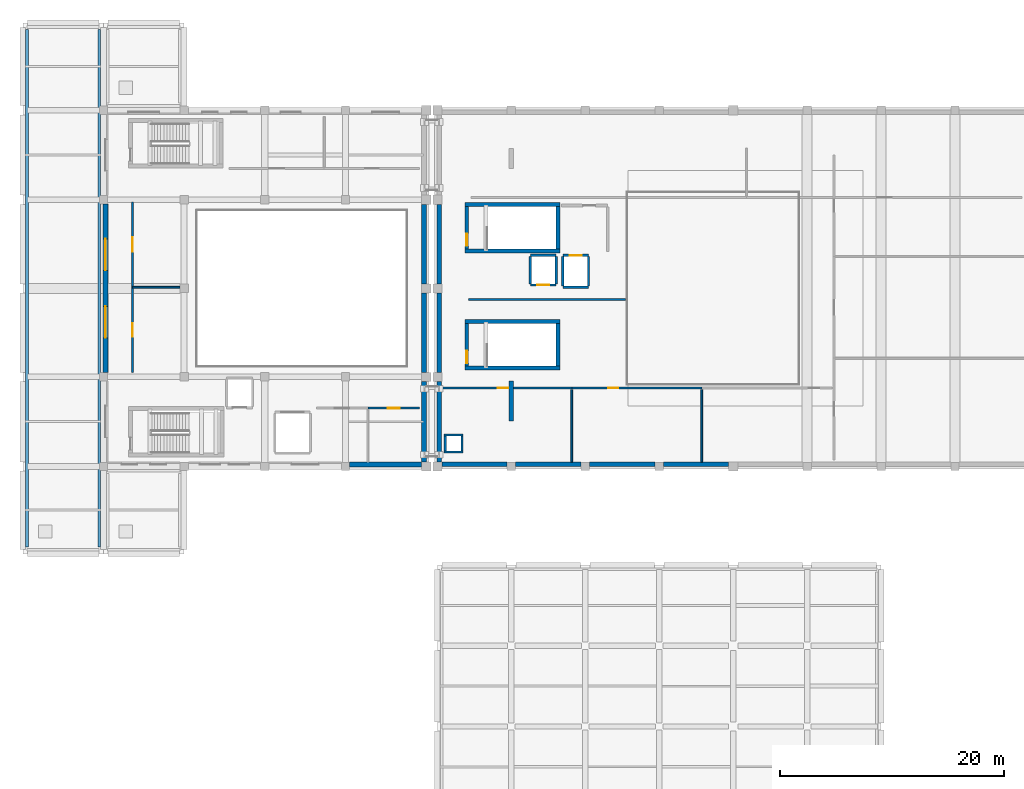
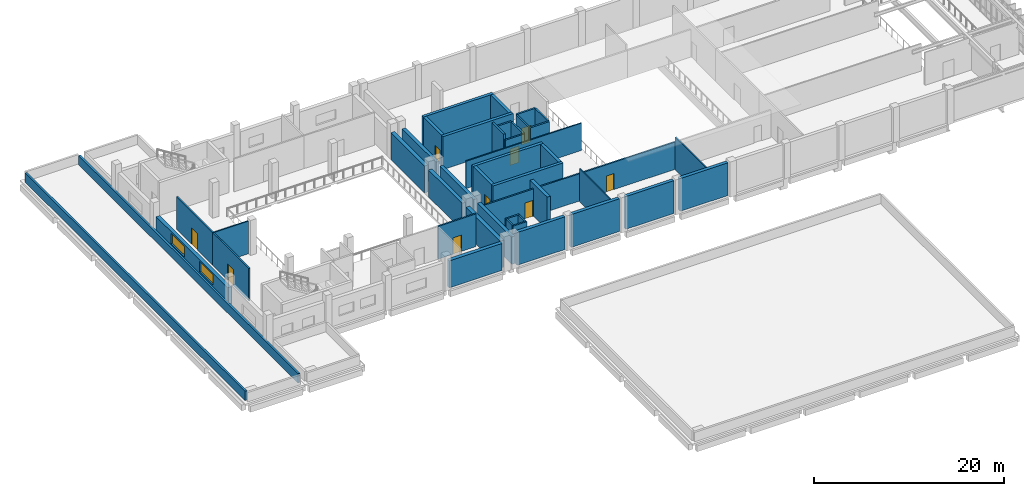
# One storey, part 14 of 23: 44 walls, 9 doors, 2 windows, 11 openings.
"""IFC4 building model written with IfcOpenShell, lengths in metres."""

from ifc_helpers import new_model, si_unit, direction, frame, frame_2d, origin, place, context, subcontext, project, spatial, rectangle, extrude, material, layer, layer_set, type_object, element, fill, save


model = new_model("IFC4")

# Units and contexts
model_context = context("Model", 3, precision=1e-05, world=origin(), true_north=direction((0.0, 1.0)))
body_context = subcontext(model_context, "Body", "Model", "MODEL_VIEW")
ifc_project = project(units=[si_unit("LENGTHUNIT", "METRE"), si_unit("AREAUNIT", "SQUARE_METRE"), si_unit("VOLUMEUNIT", "CUBIC_METRE"), si_unit("PLANEANGLEUNIT", "RADIAN"), si_unit("MASSUNIT", "GRAM", prefix="KILO")], contexts=[model_context])

# Site, building, storey
site_placement = place(None, origin())
site = spatial("IfcSite", under=ifc_project, at=site_placement, CompositionType="ELEMENT")
building_placement = place(site_placement, origin())
building = spatial("IfcBuilding", under=site, at=building_placement, Name="Kelarvand Opera House", CompositionType="ELEMENT")
storey_placement = place(building_placement, frame((0.0, 0.0, 19.5)))
storey = spatial("IfcBuildingStorey", under=building, at=storey_placement, Name="L04", CompositionType="ELEMENT", Elevation=19.5)

# Walls
ifc_material_1 = material(Name="Concrete C35/45", Category="concrete")
ifc_layer_1 = layer(ifc_material_1, 0.39990234375, Name="Concrete C35/45", Category="concrete")
ifc_layer_set_1 = layer_set([ifc_layer_1], Name="Concrete C35/45")
wall_type_1 = type_object("IfcWallType", Name="Acoustic Brick-Travertine Double Wall 400", PredefinedType="SOLIDWALL", material=ifc_layer_set_1)
wall_1_placement = place(storey_placement, frame((89.179931640625, 47.010009765625, 0.0), z_axis=(0.0, 0.0, 1.0), x_axis=(0.0, 1.0, 0.0)))
element("IfcWall", 1, at=wall_1_placement, inside=storey, type_object=wall_type_1, Name="V1 L04 Exterior Wall EW-400 (158)", PredefinedType="SOLIDWALL", context=body_context, shape_type="SweptSolid", body=[
    extrude(rectangle(XDim=7.179931640625, YDim=0.39990234375, at=frame_2d((3.58984375, 0.0))), origin(), (0.0, 0.0, 1.0), 3.510009765625),
])
for number, where, z_axis, x_axis, name in (
    (2, (89.179931640625, 55.010009765625, 0.0), (0.0, 0.0, 1.0), (0.0, 1.0, 0.0), "V1 L04 Exterior Wall EW-400 (159)"),
    (3, (89.179931640625, 62.909912109375, 0.0), (0.0, 0.0, 1.0), (0.0, 1.0, 0.0), "V1 L04 Exterior Wall EW-400 (160)"),
):
    element("IfcWall", number, at=place(storey_placement, frame(where, z_axis=z_axis, x_axis=x_axis)), inside=storey, type_object=wall_type_1, Name=name, PredefinedType="SOLIDWALL", context=body_context, shape_type="SweptSolid", body=[
        extrude(rectangle(XDim=7.080078125, YDim=0.39990234375, at=frame_2d((3.5400390625, 0.0))), origin(), (0.0, 0.0, 1.0), 3.4619140625),
    ])
wall_2_placement = place(storey_placement, frame((114.989990234375, 46.780029296875, 0.0), z_axis=(0.0, 0.0, 1.0), x_axis=(-1.0, 0.0, 0.0)))
element("IfcWall", 4, at=wall_2_placement, inside=storey, type_object=wall_type_1, Name="V1 L04 Exterior Wall EW-400 (167)", PredefinedType="SOLIDWALL", context=body_context, shape_type="SweptSolid", body=[
    extrude(rectangle(XDim=5.81494140625, YDim=0.39990234375, at=frame_2d((2.907470703125, 0.0))), origin(), (0.0, 0.0, 1.0), 4.199951171875),
])
wall_3_placement = place(storey_placement, frame((108.425048828125, 46.780029296875, 0.0), z_axis=(0.0, 0.0, 1.0), x_axis=(-1.0, 0.0, 0.0)))
element("IfcWall", 5, at=wall_3_placement, inside=storey, type_object=wall_type_1, Name="V1 L04 Exterior Wall EW-400 (168)", PredefinedType="SOLIDWALL", context=body_context, shape_type="SweptSolid", body=[
    extrude(rectangle(XDim=5.85009765625, YDim=0.39990234375, at=frame_2d((2.925048828125, 0.0))), origin(), (0.0, 0.0, 1.0), 4.199951171875),
])
wall_4_placement = place(storey_placement, frame((101.824951171875, 46.780029296875, 0.0), z_axis=(0.0, 0.0, 1.0), x_axis=(-1.0, 0.0, 0.0)))
element("IfcWall", 6, at=wall_4_placement, inside=storey, type_object=wall_type_1, Name="V1 L04 Exterior Wall EW-400 (169)", PredefinedType="SOLIDWALL", context=body_context, shape_type="SweptSolid", body=[
    extrude(rectangle(XDim=5.849853515625, YDim=0.39990234375, at=frame_2d((2.9248046875, 0.0))), origin(), (0.0, 0.0, 1.0), 4.199951171875),
])
wall_5_placement = place(storey_placement, frame((95.22509765625, 46.780029296875, 0.0), z_axis=(0.0, 0.0, 1.0), x_axis=(-1.0, 0.0, 0.0)))
element("IfcWall", 7, at=wall_5_placement, inside=storey, type_object=wall_type_1, Name="V1 L04 Exterior Wall EW-400 (170)", PredefinedType="SOLIDWALL", context=body_context, shape_type="SweptSolid", body=[
    extrude(rectangle(XDim=5.815185546875, YDim=0.39990234375, at=frame_2d((2.90771484375, 0.0))), origin(), (0.0, 0.0, 1.0), 4.199951171875),
])
ifc_material_2 = material(Name="Acoustic double-stud gypsum partition")
ifc_layer_2 = layer(ifc_material_2, 0.14990234375, Name="Acoustic double-stud gypsum partition")
ifc_layer_set_2 = layer_set([ifc_layer_2], Name="Acoustic double-stud gypsum partition")
wall_type_2 = type_object("IfcWallType", Name="Acoustic Room Partition Wall 150", PredefinedType="PARTITIONING", material=ifc_layer_set_2)
for number, where, z_axis, x_axis, name in (
    (8, (101.0, 47.0, 0.0), (0.0, 0.0, 1.0), (0.0, 1.0, 0.0), "V1 L04 Partition Wall IW-150 (637)"),
    (9, (112.60009765625, 47.0, 0.0), (0.0, 0.0, 1.0), (0.0, 1.0, 0.0), "V1 L04 Partition Wall IW-150 (639)"),
):
    element("IfcWall", number, at=place(storey_placement, frame(where, z_axis=z_axis, x_axis=x_axis)), inside=storey, type_object=wall_type_2, Name=name, PredefinedType="PARTITIONING", context=body_context, shape_type="SweptSolid", body=[
        extrude(rectangle(XDim=6.4599609375, YDim=0.14990234375, at=frame_2d((3.22998046875, 0.0))), origin(), (0.0, 0.0, 1.0), 4.19189453125),
    ])
wall_6_placement = place(storey_placement, frame((91.800048828125, 61.5, 0.0), z_axis=(0.0, 0.0, 1.0), x_axis=(1.0, 0.0, 0.0)))
element("IfcWall", 10, at=wall_6_placement, inside=storey, type_object=wall_type_2, Name="V1 L04 Partition Wall IW-150 (641)", PredefinedType="PARTITIONING", context=body_context, shape_type="SweptSolid", body=[
    extrude(rectangle(XDim=14.0, YDim=0.14990234375, at=frame_2d((7.0, 0.0))), origin(), (0.0, 0.0, 1.0), 3.5029296875),
])
wall_7_placement = place(storey_placement, frame((61.800048828125, 62.60009765625, 0.0), z_axis=(0.0, 0.0, 1.0), x_axis=(1.0, 0.0, 0.0)))
element("IfcWall", 11, at=wall_7_placement, inside=storey, type_object=wall_type_2, Name="V2 L04 Partition Wall IW-150 (653)", PredefinedType="PARTITIONING", context=body_context, shape_type="SweptSolid", body=[
    extrude(rectangle(XDim=4.224853515625, YDim=0.14990234375, at=frame_2d((2.1123046875, 0.0))), origin(), (0.0, 0.0, 1.0), 4.19189453125),
])
ifc_layer_3 = layer(ifc_material_1, 0.239990234375, Name="Concrete C35/45", Category="concrete")
ifc_layer_set_3 = layer_set([ifc_layer_3], Name="Concrete C35/45")
wall_type_3 = type_object("IfcWallType", Name="Capped Travertine Roof Parapet 240", PredefinedType="PARAPET", material=ifc_layer_set_3)
for number, where, z_axis, x_axis, name in (
    (12, (52.3798828125, 85.580078125, 0.0), (0.0, 0.0, 1.0), (0.0, -1.0, 0.0), "V2 Roof Parapet 15"),
    (13, (58.820068359375, 39.419921875, 0.0), (0.0, 0.0, 1.0), (0.0, 1.0, 0.0), "V2 Roof Parapet 16"),
):
    element("IfcWall", number, at=place(storey_placement, frame(where, z_axis=z_axis, x_axis=x_axis)), inside=storey, type_object=wall_type_3, Name=name, PredefinedType="PARAPET", context=body_context, shape_type="SweptSolid", body=[
        extrude(rectangle(XDim=46.16015625, YDim=0.239990234375, at=frame_2d((23.080078125, 0.0))), origin(), (0.0, 0.0, 1.0), 1.199951171875),
    ])
ifc_material_3 = material(Name="Concrete C40/50", Category="concrete")
ifc_layer_4 = layer(ifc_material_3, 0.35009765625, Name="Concrete C40/50", Category="concrete")
ifc_layer_set_4 = layer_set([ifc_layer_4], Name="Concrete C40/50")
wall_type_4 = type_object("IfcWallType", Name="Core Stair and Lift Shear Wall 350", PredefinedType="SHEAR", material=ifc_layer_set_4)
for number, where, z_axis, x_axis, name in (
    (14, (91.449951171875, 65.824951171875, 0.0), (0.0, 0.0, 1.0), (1.0, 0.0, 0.0), "C1 Stair Core Shear Wall S L04"),
    (15, (99.949951171875, 69.97509765625, 0.0), (0.0, 0.0, 1.0), (-1.0, 0.0, 0.0), "C1 Stair Core Shear Wall N L04"),
):
    element("IfcWall", number, at=place(storey_placement, frame(where, z_axis=z_axis, x_axis=x_axis)), inside=storey, type_object=wall_type_4, Name=name, PredefinedType="SHEAR", context=body_context, shape_type="SweptSolid", body=[
        extrude(rectangle(XDim=8.5, YDim=0.35009765625, at=frame_2d((4.25, 0.0))), origin(), (0.0, 0.0, 1.0), 4.219970703125),
    ])

# Wall, opening, door
wall_8_placement = place(storey_placement, frame((91.625, 66.0, 0.0), z_axis=(0.0, 0.0, 1.0), x_axis=(0.0, 1.0, 0.0)))
wall_8 = element("IfcWall", 16, at=wall_8_placement, inside=storey, type_object=wall_type_4, Name="C1 Stair Core Shear Wall W L04", PredefinedType="SHEAR", context=body_context, shape_type="SweptSolid", body=[
    extrude(rectangle(XDim=3.800048828125, YDim=0.35009765625, at=frame_2d((1.89990234375, 0.0))), origin(), (0.0, 0.0, 1.0), 4.219970703125),
])
opening_1_placement = place(wall_8_placement, frame((0.280029296875, 0.0, 0.0)))
opening_1 = element("IfcOpeningElement", 17, at=opening_1_placement, cuts=wall_8, Name="Opening FD-01", PredefinedType="OPENING", context=body_context, shape_type="SweptSolid", body=[
    extrude(rectangle(XDim=1.10009765625, YDim=2.080078125, at=frame_2d((0.550048828125, 1.0400390625))), frame((0.0, 0.18505859375, 0.0), z_axis=(0.0, -1.0, 0.0), x_axis=(1.0, 0.0, 0.0)), (0.0, 0.0, 1.0), 0.3701171875),
])
ifc_material_4 = material(Name="Fire-rated brushed stainless steel", Category="steel")
door_type_1 = type_object("IfcDoorType", Name="Steel Fire-Rated Stair and FF Lobby Door 1100x2080", OperationType="NOTDEFINED", PredefinedType="DOOR", material=ifc_material_4)
door_1_placement = place(opening_1_placement, origin())
door_1 = element("IfcDoor", 18, at=door_1_placement, inside=storey, type_object=door_type_1, Name="C1 Stair ST-01 Fire Door L04", OperationType="SINGLE_SWING_RIGHT", OverallHeight=2.080078125, OverallWidth=1.10009765625, PredefinedType="DOOR", context=body_context, shape_type="SweptSolid", body=[
    extrude(rectangle(XDim=1.10009765625, YDim=2.080078125, at=frame_2d((0.550048828125, 1.0400390625))), frame((0.0, 0.02490234375, 0.0), z_axis=(0.0, -1.0, 0.0), x_axis=(1.0, 0.0, 0.0)), (0.0, 0.0, 1.0), 0.050048828125),
])
fill(opening_1, door_1)

# Walls
wall_9_placement = place(storey_placement, frame((99.77490234375, 69.800048828125, 0.0), z_axis=(0.0, 0.0, 1.0), x_axis=(0.0, -1.0, 0.0)))
element("IfcWall", 19, at=wall_9_placement, inside=storey, type_object=wall_type_4, Name="C1 Stair Core Shear Wall E L04", PredefinedType="SHEAR", context=body_context, shape_type="SweptSolid", body=[
    extrude(rectangle(XDim=3.800048828125, YDim=0.35009765625, at=frame_2d((1.89990234375, 0.0))), origin(), (0.0, 0.0, 1.0), 4.219970703125),
])
for number, where, z_axis, x_axis, name in (
    (20, (91.449951171875, 55.375, 0.0), (0.0, 0.0, 1.0), (1.0, 0.0, 0.0), "C4 Stair Core Shear Wall S L04"),
    (21, (99.949951171875, 59.52490234375, 0.0), (0.0, 0.0, 1.0), (-1.0, 0.0, 0.0), "C4 Stair Core Shear Wall N L04"),
):
    element("IfcWall", number, at=place(storey_placement, frame(where, z_axis=z_axis, x_axis=x_axis)), inside=storey, type_object=wall_type_4, Name=name, PredefinedType="SHEAR", context=body_context, shape_type="SweptSolid", body=[
        extrude(rectangle(XDim=8.5, YDim=0.35009765625, at=frame_2d((4.25, 0.0))), origin(), (0.0, 0.0, 1.0), 4.219970703125),
    ])

# Wall, opening, door
wall_10_placement = place(storey_placement, frame((91.625, 55.550048828125, 0.0), z_axis=(0.0, 0.0, 1.0), x_axis=(0.0, 1.0, 0.0)))
wall_10 = element("IfcWall", 22, at=wall_10_placement, inside=storey, type_object=wall_type_4, Name="C4 Stair Core Shear Wall W L04", PredefinedType="SHEAR", context=body_context, shape_type="SweptSolid", body=[
    extrude(rectangle(XDim=3.800048828125, YDim=0.35009765625, at=frame_2d((1.89990234375, 0.0))), origin(), (0.0, 0.0, 1.0), 4.219970703125),
])
opening_2_placement = place(wall_10_placement, frame((0.280029296875, 0.0, 0.0)))
opening_2 = element("IfcOpeningElement", 23, at=opening_2_placement, cuts=wall_10, Name="Opening FD-01", PredefinedType="OPENING", context=body_context, shape_type="SweptSolid", body=[
    extrude(rectangle(XDim=1.10009765625, YDim=2.080078125, at=frame_2d((0.550048828125, 1.0400390625))), frame((0.0, 0.18505859375, 0.0), z_axis=(0.0, -1.0, 0.0), x_axis=(1.0, 0.0, 0.0)), (0.0, 0.0, 1.0), 0.3701171875),
])
door_2_placement = place(opening_2_placement, origin())
door_2 = element("IfcDoor", 24, at=door_2_placement, inside=storey, type_object=door_type_1, Name="C4 Stair ST-04 Fire Door L04", OperationType="SINGLE_SWING_LEFT", OverallHeight=2.080078125, OverallWidth=1.10009765625, PredefinedType="DOOR", context=body_context, shape_type="SweptSolid", body=[
    extrude(rectangle(XDim=1.10009765625, YDim=2.080078125, at=frame_2d((0.550048828125, 1.0400390625))), frame((0.0, 0.02490234375, 0.0), z_axis=(0.0, -1.0, 0.0), x_axis=(1.0, 0.0, 0.0)), (0.0, 0.0, 1.0), 0.050048828125),
])
fill(opening_2, door_2)

# Wall
wall_11_placement = place(storey_placement, frame((99.77490234375, 59.35009765625, 0.0), z_axis=(0.0, 0.0, 1.0), x_axis=(0.0, -1.0, 0.0)))
element("IfcWall", 25, at=wall_11_placement, inside=storey, type_object=wall_type_4, Name="C4 Stair Core Shear Wall E L04", PredefinedType="SHEAR", context=body_context, shape_type="SweptSolid", body=[
    extrude(rectangle(XDim=3.800048828125, YDim=0.35009765625, at=frame_2d((1.89990234375, 0.0))), origin(), (0.0, 0.0, 1.0), 4.219970703125),
])

# Wall, opening, door
ifc_layer_5 = layer(ifc_material_1, 0.179931640625, Name="Concrete C35/45", Category="concrete")
ifc_layer_set_5 = layer_set([ifc_layer_5], Name="Concrete C35/45")
wall_type_5 = type_object("IfcWallType", Name="Corridor Fire-Rated Partition Wall 180 EI90", PredefinedType="PARTITIONING", material=ifc_layer_set_5)
wall_12_placement = place(storey_placement, frame((89.39990234375, 53.60009765625, 0.0), z_axis=(0.0, 0.0, 1.0), x_axis=(1.0, 0.0, 0.0)))
wall_12 = element("IfcWall", 26, at=wall_12_placement, inside=storey, type_object=wall_type_5, Name="V1 L04 Partition Wall IW-90 (636)", PredefinedType="PARTITIONING", context=body_context, shape_type="SweptSolid", body=[
    extrude(rectangle(XDim=11.60009765625, YDim=0.179931640625, at=frame_2d((5.800048828125, 0.0))), origin(), (0.0, 0.0, 1.0), 3.5029296875),
])
opening_3_placement = place(wall_12_placement, frame((4.989013671875, 0.0, 0.0)))
opening_3 = element("IfcOpeningElement", 27, at=opening_3_placement, cuts=wall_12, Name="Opening D-01", PredefinedType="OPENING", context=body_context, shape_type="SweptSolid", body=[
    extrude(rectangle(XDim=0.919921875, YDim=2.050048828125, at=frame_2d((0.4599609375, 1.02490234375))), frame((0.0, 0.10009765625, 0.0), z_axis=(0.0, -1.0, 0.0), x_axis=(1.0, 0.0, 0.0)), (0.0, 0.0, 1.0), 0.199951171875),
])
ifc_material_5 = material(Name="Acoustic walnut-veneered hardwood", Category="wood")
door_type_2 = type_object("IfcDoorType", Name="Solid Timber Dressing and WC Door 920x2050", OperationType="NOTDEFINED", PredefinedType="DOOR", material=ifc_material_5)
door_3_placement = place(opening_3_placement, origin())
door_3 = element("IfcDoor", 28, at=door_3_placement, inside=storey, type_object=door_type_2, Name="V1 L04 Door D-01 (284)", OperationType="SINGLE_SWING_RIGHT", OverallHeight=2.050048828125, OverallWidth=0.919921875, PredefinedType="DOOR", context=body_context, shape_type="SweptSolid", body=[
    extrude(rectangle(XDim=0.919921875, YDim=2.050048828125, at=frame_2d((0.4599609375, 1.02490234375))), frame((0.0, 0.02490234375, 0.0), z_axis=(0.0, -1.0, 0.0), x_axis=(1.0, 0.0, 0.0)), (0.0, 0.0, 1.0), 0.050048828125),
])
fill(opening_3, door_3)

wall_13_placement = place(storey_placement, frame((101.0, 53.60009765625, 0.0), z_axis=(0.0, 0.0, 1.0), x_axis=(1.0, 0.0, 0.0)))
wall_13 = element("IfcWall", 29, at=wall_13_placement, inside=storey, type_object=wall_type_5, Name="V1 L04 Partition Wall IW-90 (638)", PredefinedType="PARTITIONING", context=body_context, shape_type="SweptSolid", body=[
    extrude(rectangle(XDim=11.60009765625, YDim=0.179931640625, at=frame_2d((5.800048828125, 0.0))), origin(), (0.0, 0.0, 1.0), 3.5029296875),
])
opening_4_placement = place(wall_13_placement, frame((3.236083984375, 0.0, 0.0)))
opening_4 = element("IfcOpeningElement", 30, at=opening_4_placement, cuts=wall_13, Name="Opening D-01", PredefinedType="OPENING", context=body_context, shape_type="SweptSolid", body=[
    extrude(rectangle(XDim=0.919921875, YDim=2.050048828125, at=frame_2d((0.4599609375, 1.02490234375))), frame((0.0, 0.10009765625, 0.0), z_axis=(0.0, -1.0, 0.0), x_axis=(1.0, 0.0, 0.0)), (0.0, 0.0, 1.0), 0.199951171875),
])
door_4_placement = place(opening_4_placement, origin())
door_4 = element("IfcDoor", 31, at=door_4_placement, inside=storey, type_object=door_type_2, Name="V1 L04 Door D-01 (285)", OperationType="SINGLE_SWING_LEFT", OverallHeight=2.050048828125, OverallWidth=0.919921875, PredefinedType="DOOR", context=body_context, shape_type="SweptSolid", body=[
    extrude(rectangle(XDim=0.919921875, YDim=2.050048828125, at=frame_2d((0.4599609375, 1.02490234375))), frame((0.0, 0.02490234375, 0.0), z_axis=(0.0, -1.0, 0.0), x_axis=(1.0, 0.0, 0.0)), (0.0, 0.0, 1.0), 0.050048828125),
])
fill(opening_4, door_4)

wall_14_placement = place(storey_placement, frame((61.800048828125, 55.0, 0.0), z_axis=(0.0, 0.0, 1.0), x_axis=(0.0, 1.0, 0.0)))
wall_14 = element("IfcWall", 32, at=wall_14_placement, inside=storey, type_object=wall_type_5, Name="V2 L04 Partition Wall IW-90 (652)", PredefinedType="PARTITIONING", context=body_context, shape_type="SweptSolid", body=[
    extrude(rectangle(XDim=7.60009765625, YDim=0.179931640625, at=frame_2d((3.800048828125, 0.0))), origin(), (0.0, 0.0, 1.0), 4.19189453125),
])
opening_5_placement = place(wall_14_placement, frame((3.199951171875, 0.0, 0.0)))
opening_5 = element("IfcOpeningElement", 33, at=opening_5_placement, cuts=wall_14, Name="Opening D-06", PredefinedType="OPENING", context=body_context, shape_type="SweptSolid", body=[
    extrude(rectangle(XDim=1.199951171875, YDim=2.10009765625, at=frame_2d((0.60009765625, 1.050048828125))), frame((0.0, 0.10009765625, 0.0), z_axis=(0.0, -1.0, 0.0), x_axis=(1.0, 0.0, 0.0)), (0.0, 0.0, 1.0), 0.199951171875),
])
door_type_3 = type_object("IfcDoorType", Name="Accessible Suite Timber Door 1200x2100", OperationType="NOTDEFINED", PredefinedType="DOOR", material=ifc_material_5)
door_5_placement = place(opening_5_placement, origin())
door_5 = element("IfcDoor", 34, at=door_5_placement, inside=storey, type_object=door_type_3, Name="V2 L04 Door D-06 (293)", OperationType="SINGLE_SWING_LEFT", OverallHeight=2.10009765625, OverallWidth=1.199951171875, PredefinedType="DOOR", context=body_context, shape_type="SweptSolid", body=[
    extrude(rectangle(XDim=1.199951171875, YDim=2.10009765625, at=frame_2d((0.60009765625, 1.050048828125))), frame((0.0, 0.02490234375, 0.0), z_axis=(0.0, -1.0, 0.0), x_axis=(1.0, 0.0, 0.0)), (0.0, 0.0, 1.0), 0.050048828125),
])
fill(opening_5, door_5)

wall_15_placement = place(storey_placement, frame((61.800048828125, 62.60009765625, 0.0), z_axis=(0.0, 0.0, 1.0), x_axis=(0.0, 1.0, 0.0)))
wall_15 = element("IfcWall", 35, at=wall_15_placement, inside=storey, type_object=wall_type_5, Name="V2 L04 Partition Wall IW-90 (654)", PredefinedType="PARTITIONING", context=body_context, shape_type="SweptSolid", body=[
    extrude(rectangle(XDim=7.599853515625, YDim=0.179931640625, at=frame_2d((3.7998046875, 0.0))), origin(), (0.0, 0.0, 1.0), 4.19189453125),
])
opening_6_placement = place(wall_15_placement, frame((3.159912109375, 0.0, 0.0)))
opening_6 = element("IfcOpeningElement", 36, at=opening_6_placement, cuts=wall_15, Name="Opening D-11", PredefinedType="OPENING", context=body_context, shape_type="SweptSolid", body=[
    extrude(rectangle(XDim=1.280029296875, YDim=2.139892578125, at=frame_2d((0.64013671875, 1.06982421875))), frame((0.0, 0.10009765625, 0.0), z_axis=(0.0, -1.0, 0.0), x_axis=(1.0, 0.0, 0.0)), (0.0, 0.0, 1.0), 0.199951171875),
])
door_type_4 = type_object("IfcDoorType", Name="Instrument Store Leaf-and-Half Door 1280x2140", OperationType="NOTDEFINED", PredefinedType="DOOR", material=ifc_material_5)
door_6_placement = place(opening_6_placement, origin())
door_6 = element("IfcDoor", 37, at=door_6_placement, inside=storey, type_object=door_type_4, Name="V2 L04 Door D-11 (294)", OperationType="SINGLE_SWING_RIGHT", OverallHeight=2.139892578125, OverallWidth=1.280029296875, PredefinedType="DOOR", context=body_context, shape_type="SweptSolid", body=[
    extrude(rectangle(XDim=1.280029296875, YDim=2.139892578125, at=frame_2d((0.64013671875, 1.06982421875))), frame((0.0, 0.02490234375, 0.0), z_axis=(0.0, -1.0, 0.0), x_axis=(1.0, 0.0, 0.0)), (0.0, 0.0, 1.0), 0.050048828125),
])
fill(opening_6, door_6)

wall_16_placement = place(storey_placement, frame((82.800048828125, 51.800048828125, 0.0), z_axis=(0.0, 0.0, 1.0), x_axis=(1.0, 0.0, 0.0)))
wall_16 = element("IfcWall", 38, at=wall_16_placement, inside=storey, type_object=wall_type_5, Name="V2 L04 Partition Wall IW-90 (657)", PredefinedType="PARTITIONING", context=body_context, shape_type="SweptSolid", body=[
    extrude(rectangle(XDim=4.599853515625, YDim=0.179931640625, at=frame_2d((2.2998046875, 0.0))), origin(), (0.0, 0.0, 1.0), 4.19189453125),
])
opening_7_placement = place(wall_16_placement, frame((1.77490234375, 0.0, 0.0)))
opening_7 = element("IfcOpeningElement", 39, at=opening_7_placement, cuts=wall_16, Name="Opening D-02", PredefinedType="OPENING", context=body_context, shape_type="SweptSolid", body=[
    extrude(rectangle(XDim=1.050048828125, YDim=2.10009765625, at=frame_2d((0.52490234375, 1.050048828125))), frame((0.0, 0.10009765625, 0.0), z_axis=(0.0, -1.0, 0.0), x_axis=(1.0, 0.0, 0.0)), (0.0, 0.0, 1.0), 0.199951171875),
])
door_type_5 = type_object("IfcDoorType", Name="Acoustic Studio Single Door 1050x2100", OperationType="NOTDEFINED", PredefinedType="DOOR", material=ifc_material_5)
door_7_placement = place(opening_7_placement, origin())
door_7 = element("IfcDoor", 40, at=door_7_placement, inside=storey, type_object=door_type_5, Name="V2 L04 Door D-02 (296)", OperationType="SINGLE_SWING_RIGHT", OverallHeight=2.10009765625, OverallWidth=1.050048828125, PredefinedType="DOOR", context=body_context, shape_type="SweptSolid", body=[
    extrude(rectangle(XDim=1.050048828125, YDim=2.10009765625, at=frame_2d((0.52490234375, 1.050048828125))), frame((0.0, 0.02490234375, 0.0), z_axis=(0.0, -1.0, 0.0), x_axis=(1.0, 0.0, 0.0)), (0.0, 0.0, 1.0), 0.050048828125),
])
fill(opening_7, door_7)

# Walls
ifc_layer_6 = layer(ifc_material_1, 0.199951171875, Name="Concrete C35/45", Category="concrete")
ifc_layer_set_6 = layer_set([ifc_layer_6], Name="Concrete C35/45")
wall_type_6 = type_object("IfcWallType", Name="Lift and Riser Shaft Enclosure Wall 200 EI120", PredefinedType="PARTITIONING", material=ifc_layer_set_6)
for number, where, z_axis, x_axis, name in (
    (41, (89.60009765625, 47.89990234375, 0.0), (0.0, 0.0, 1.0), (1.0, 0.0, 0.0), "RSR-V1 L04 Riser Shaft Wall 25"),
    (42, (91.300048828125, 49.39990234375, 0.0), (0.0, 0.0, 1.0), (-1.0, 0.0, 0.0), "RSR-V1 L04 Riser Shaft Wall 26"),
):
    element("IfcWall", number, at=place(storey_placement, frame(where, z_axis=z_axis, x_axis=x_axis)), inside=storey, type_object=wall_type_6, Name=name, PredefinedType="PARTITIONING", context=body_context, shape_type="SweptSolid", body=[
        extrude(rectangle(XDim=1.699951171875, YDim=0.199951171875, at=frame_2d((0.85009765625, 0.0))), origin(), (0.0, 0.0, 1.0), 4.199951171875),
    ])
for number, where, z_axis, x_axis, name in (
    (43, (89.699951171875, 48.0, 0.0), (0.0, 0.0, 1.0), (0.0, 1.0, 0.0), "RSR-V1 L04 Riser Shaft Wall 27"),
    (44, (91.199951171875, 49.300048828125, 0.0), (0.0, 0.0, 1.0), (0.0, -1.0, 0.0), "RSR-V1 L04 Riser Shaft Wall 28"),
):
    element("IfcWall", number, at=place(storey_placement, frame(where, z_axis=z_axis, x_axis=x_axis)), inside=storey, type_object=wall_type_6, Name=name, PredefinedType="PARTITIONING", context=body_context, shape_type="SweptSolid", body=[
        extrude(rectangle(XDim=1.300048828125, YDim=0.199951171875, at=frame_2d((0.64990234375, 0.0))), origin(), (0.0, 0.0, 1.0), 4.199951171875),
    ])
wall_17_placement = place(storey_placement, frame((100.199951171875, 62.60009765625, 0.0), z_axis=(0.0, 0.0, 1.0), x_axis=(1.0, 0.0, 0.0)))
element("IfcWall", 45, at=wall_17_placement, inside=storey, type_object=wall_type_6, Name="V1 L04 Partition Wall SW-200 (613)", PredefinedType="PARTITIONING", context=body_context, shape_type="SweptSolid", body=[
    extrude(rectangle(XDim=2.300048828125, YDim=0.199951171875, at=frame_2d((1.14990234375, 0.0))), origin(), (0.0, 0.0, 1.0), 4.19189453125),
])

# Wall, opening, door
wall_18_placement = place(storey_placement, frame((102.5, 65.449951171875, 0.0), z_axis=(0.0, 0.0, 1.0), x_axis=(-1.0, 0.0, 0.0)))
wall_18 = element("IfcWall", 46, at=wall_18_placement, inside=storey, type_object=wall_type_6, Name="V1 L04 Partition Wall SW-200 (614)", PredefinedType="PARTITIONING", context=body_context, shape_type="SweptSolid", body=[
    extrude(rectangle(XDim=2.300048828125, YDim=0.199951171875, at=frame_2d((1.14990234375, 0.0))), origin(), (0.0, 0.0, 1.0), 4.19189453125),
])
opening_8_placement = place(wall_18_placement, frame((0.60009765625, 0.0, 0.0)))
opening_8 = element("IfcOpeningElement", 47, at=opening_8_placement, cuts=wall_18, Name="Opening LD-01", PredefinedType="OPENING", context=body_context, shape_type="SweptSolid", body=[
    extrude(rectangle(XDim=1.10009765625, YDim=2.14990234375, at=frame_2d((0.550048828125, 1.074951171875))), frame((0.0, 0.10986328125, 0.0), z_axis=(0.0, -1.0, 0.0), x_axis=(1.0, 0.0, 0.0)), (0.0, 0.0, 1.0), 0.219970703125),
])
door_type_6 = type_object("IfcDoorType", Name="Passenger Lift Sliding Landing Door 1100x2150", OperationType="SLIDING_TO_LEFT", PredefinedType="DOOR", material=ifc_material_4)
door_8_placement = place(opening_8_placement, origin())
door_8 = element("IfcDoor", 48, at=door_8_placement, inside=storey, type_object=door_type_6, Name="V1 L04 Door LD-01 (276)", OperationType="SLIDING_TO_LEFT", OverallHeight=2.14990234375, OverallWidth=1.10009765625, PredefinedType="DOOR", context=body_context, shape_type="SweptSolid", body=[
    extrude(rectangle(XDim=1.10009765625, YDim=2.14990234375, at=frame_2d((0.550048828125, 1.074951171875))), frame((0.0, 0.02490234375, 0.0), z_axis=(0.0, -1.0, 0.0), x_axis=(1.0, 0.0, 0.0)), (0.0, 0.0, 1.0), 0.050048828125),
])
fill(opening_8, door_8)

# Walls
for number, where, z_axis, x_axis, name in (
    (49, (100.199951171875, 62.699951171875, 0.0), (0.0, 0.0, 1.0), (0.0, 1.0, 0.0), "V1 L04 Partition Wall SW-200 (615)"),
    (50, (102.5, 65.35009765625, 0.0), (0.0, 0.0, 1.0), (0.0, -1.0, 0.0), "V1 L04 Partition Wall SW-200 (616)"),
):
    element("IfcWall", number, at=place(storey_placement, frame(where, z_axis=z_axis, x_axis=x_axis)), inside=storey, type_object=wall_type_6, Name=name, PredefinedType="PARTITIONING", context=body_context, shape_type="SweptSolid", body=[
        extrude(rectangle(XDim=2.650146484375, YDim=0.199951171875, at=frame_2d((1.3251953125, 0.0))), origin(), (0.0, 0.0, 1.0), 4.19189453125),
    ])

# Wall, opening, door
wall_19_placement = place(storey_placement, frame((97.300048828125, 62.800048828125, 0.0), z_axis=(0.0, 0.0, 1.0), x_axis=(1.0, 0.0, 0.0)))
wall_19 = element("IfcWall", 51, at=wall_19_placement, inside=storey, type_object=wall_type_6, Name="V1 L04 Partition Wall SW-200 (617)", PredefinedType="PARTITIONING", context=body_context, shape_type="SweptSolid", body=[
    extrude(rectangle(XDim=2.300048828125, YDim=0.199951171875, at=frame_2d((1.14990234375, 0.0))), origin(), (0.0, 0.0, 1.0), 3.5029296875),
])
opening_9_placement = place(wall_19_placement, frame((0.60009765625, 0.0, 0.0)))
opening_9 = element("IfcOpeningElement", 52, at=opening_9_placement, cuts=wall_19, Name="Opening LD-01", PredefinedType="OPENING", context=body_context, shape_type="SweptSolid", body=[
    extrude(rectangle(XDim=1.10009765625, YDim=2.14990234375, at=frame_2d((0.550048828125, 1.074951171875))), frame((0.0, 0.10986328125, 0.0), z_axis=(0.0, -1.0, 0.0), x_axis=(1.0, 0.0, 0.0)), (0.0, 0.0, 1.0), 0.219970703125),
])
door_9_placement = place(opening_9_placement, origin())
door_9 = element("IfcDoor", 53, at=door_9_placement, inside=storey, type_object=door_type_6, Name="V1 L04 Door LD-01 (277)", OperationType="SLIDING_TO_LEFT", OverallHeight=2.14990234375, OverallWidth=1.10009765625, PredefinedType="DOOR", context=body_context, shape_type="SweptSolid", body=[
    extrude(rectangle(XDim=1.10009765625, YDim=2.14990234375, at=frame_2d((0.550048828125, 1.074951171875))), frame((0.0, 0.02490234375, 0.0), z_axis=(0.0, -1.0, 0.0), x_axis=(1.0, 0.0, 0.0)), (0.0, 0.0, 1.0), 0.050048828125),
])
fill(opening_9, door_9)

# Walls
wall_20_placement = place(storey_placement, frame((99.60009765625, 65.449951171875, 0.0), z_axis=(0.0, 0.0, 1.0), x_axis=(-1.0, 0.0, 0.0)))
element("IfcWall", 54, at=wall_20_placement, inside=storey, type_object=wall_type_6, Name="V1 L04 Partition Wall SW-200 (618)", PredefinedType="PARTITIONING", context=body_context, shape_type="SweptSolid", body=[
    extrude(rectangle(XDim=2.300048828125, YDim=0.199951171875, at=frame_2d((1.14990234375, 0.0))), origin(), (0.0, 0.0, 1.0), 3.5029296875),
])
wall_21_placement = place(storey_placement, frame((97.300048828125, 62.89990234375, 0.0), z_axis=(0.0, 0.0, 1.0), x_axis=(0.0, 1.0, 0.0)))
element("IfcWall", 55, at=wall_21_placement, inside=storey, type_object=wall_type_6, Name="V1 L04 Partition Wall SW-200 (619)", PredefinedType="PARTITIONING", context=body_context, shape_type="SweptSolid", body=[
    extrude(rectangle(XDim=2.4501953125, YDim=0.199951171875, at=frame_2d((1.22509765625, 0.0))), origin(), (0.0, 0.0, 1.0), 4.19189453125),
])
wall_22_placement = place(storey_placement, frame((99.60009765625, 65.35009765625, 0.0), z_axis=(0.0, 0.0, 1.0), x_axis=(0.0, -1.0, 0.0)))
element("IfcWall", 56, at=wall_22_placement, inside=storey, type_object=wall_type_6, Name="V1 L04 Partition Wall SW-200 (620)", PredefinedType="PARTITIONING", context=body_context, shape_type="SweptSolid", body=[
    extrude(rectangle(XDim=2.4501953125, YDim=0.199951171875, at=frame_2d((1.22509765625, 0.0))), origin(), (0.0, 0.0, 1.0), 3.5029296875),
])
ifc_layer_7 = layer(ifc_material_3, 0.39990234375, Name="Concrete C40/50", Category="concrete")
ifc_layer_set_7 = layer_set([ifc_layer_7], Name="Concrete C40/50")
wall_type_7 = type_object("IfcWallType", Name="Seismic Compartment Shear Wall 400", PredefinedType="SHEAR", material=ifc_layer_set_7)
wall_23_placement = place(storey_placement, frame((95.60009765625, 50.64990234375, 0.0), z_axis=(0.0, 0.0, 1.0), x_axis=(0.0, 1.0, 0.0)))
element("IfcWall", 57, at=wall_23_placement, inside=storey, type_object=wall_type_7, Name="V1 Shear Wall CW-120 L04", PredefinedType="SHEAR", context=body_context, shape_type="SweptSolid", body=[
    extrude(rectangle(XDim=3.5751953125, YDim=0.39990234375, at=frame_2d((1.78759765625, 0.0))), origin(), (0.0, 0.0, 1.0), 4.179931640625),
])
ifc_layer_8 = layer(ifc_material_1, 0.43994140625, Name="Concrete C35/45", Category="concrete")
ifc_layer_set_8 = layer_set([ifc_layer_8], Name="Concrete C35/45")
wall_type_8 = type_object("IfcWallType", Name="Stage House Acoustic Cavity Wall 440", PredefinedType="SOLIDWALL", material=ifc_layer_set_8)
for number, where, z_axis, x_axis, name in (
    (58, (87.820068359375, 69.989990234375, 0.0), (0.0, 0.0, 1.0), (0.0, -1.0, 0.0), "V2 L04 Exterior Wall EW-440 (303)"),
    (59, (87.820068359375, 62.090087890625, 0.0), (0.0, 0.0, 1.0), (0.0, -1.0, 0.0), "V2 L04 Exterior Wall EW-440 (304)"),
):
    element("IfcWall", number, at=place(storey_placement, frame(where, z_axis=z_axis, x_axis=x_axis)), inside=storey, type_object=wall_type_8, Name=name, PredefinedType="SOLIDWALL", context=body_context, shape_type="SweptSolid", body=[
        extrude(rectangle(XDim=7.080078125, YDim=0.43994140625, at=frame_2d((3.5400390625, 0.0))), origin(), (0.0, 0.0, 1.0), 3.4619140625),
    ])
wall_24_placement = place(storey_placement, frame((87.820068359375, 54.18994140625, 0.0), z_axis=(0.0, 0.0, 1.0), x_axis=(0.0, -1.0, 0.0)))
element("IfcWall", 60, at=wall_24_placement, inside=storey, type_object=wall_type_8, Name="V2 L04 Exterior Wall EW-440 (305)", PredefinedType="SOLIDWALL", context=body_context, shape_type="SweptSolid", body=[
    extrude(rectangle(XDim=7.179931640625, YDim=0.43994140625, at=frame_2d((3.58984375, 0.0))), origin(), (0.0, 0.0, 1.0), 3.4619140625),
])

# Wall, openings, windows
wall_25_placement = place(storey_placement, frame((59.3798828125, 54.97509765625, 0.0), z_axis=(0.0, 0.0, 1.0), x_axis=(0.0, 1.0, 0.0)))
wall_25 = element("IfcWall", 61, at=wall_25_placement, inside=storey, type_object=wall_type_8, Name="V2 L04 Exterior Wall EW-440 (311)", PredefinedType="SOLIDWALL", context=body_context, shape_type="SweptSolid", body=[
    extrude(rectangle(XDim=15.0498046875, YDim=0.43994140625, at=frame_2d((7.52490234375, 0.0))), origin(), (0.0, 0.0, 1.0), 2.612060546875),
])
opening_10_placement = place(wall_25_placement, frame((3.114990234375, 0.0, 1.050048828125)))
opening_10 = element("IfcOpeningElement", 62, at=opening_10_placement, cuts=wall_25, Name="Opening WN-21", PredefinedType="OPENING", context=body_context, shape_type="SweptSolid", body=[
    extrude(rectangle(XDim=2.800048828125, YDim=1.35009765625, at=frame_2d((1.39990234375, 0.675048828125))), frame((0.0, 0.22998046875, 0.0), z_axis=(0.0, -1.0, 0.0), x_axis=(1.0, 0.0, 0.0)), (0.0, 0.0, 1.0), 0.4599609375),
])
opening_11_placement = place(wall_25_placement, frame((9.135009765625, 0.0, 1.050048828125)))
opening_11 = element("IfcOpeningElement", 63, at=opening_11_placement, cuts=wall_25, Name="Opening WN-21", PredefinedType="OPENING", context=body_context, shape_type="SweptSolid", body=[
    extrude(rectangle(XDim=2.800048828125, YDim=1.35009765625, at=frame_2d((1.39990234375, 0.675048828125))), frame((0.0, 0.22998046875, 0.0), z_axis=(0.0, -1.0, 0.0), x_axis=(1.0, 0.0, 0.0)), (0.0, 0.0, 1.0), 0.4599609375),
])
ifc_material_6 = material(Name="Thermally broken aluminium and low-E double glazing", Category="aluminium")
window_type = type_object("IfcWindowType", Name="Recessed Aluminium Thermal Window 2800x1350 WN-21", PartitioningType="SINGLE_PANEL", PredefinedType="WINDOW", material=ifc_material_6)
window_1_placement = place(opening_10_placement, origin())
window_1 = element("IfcWindow", 64, at=window_1_placement, inside=storey, type_object=window_type, Name="V2 L04 Facade Window WN-21 (96)", OverallHeight=1.35009765625, OverallWidth=2.800048828125, PartitioningType="SINGLE_PANEL", PredefinedType="WINDOW", context=body_context, shape_type="SweptSolid", body=[
    extrude(rectangle(XDim=2.800048828125, YDim=1.35009765625, at=frame_2d((1.39990234375, 0.675048828125))), frame((0.0, 0.030029296875, 0.0), z_axis=(0.0, -1.0, 0.0), x_axis=(1.0, 0.0, 0.0)), (0.0, 0.0, 1.0), 0.06005859375),
])
fill(opening_10, window_1)
window_2_placement = place(opening_11_placement, origin())
window_2 = element("IfcWindow", 65, at=window_2_placement, inside=storey, type_object=window_type, Name="V2 L04 Facade Window WN-21 (97)", OverallHeight=1.35009765625, OverallWidth=2.800048828125, PartitioningType="SINGLE_PANEL", PredefinedType="WINDOW", context=body_context, shape_type="SweptSolid", body=[
    extrude(rectangle(XDim=2.800048828125, YDim=1.35009765625, at=frame_2d((1.39990234375, 0.675048828125))), frame((0.0, 0.030029296875, 0.0), z_axis=(0.0, -1.0, 0.0), x_axis=(1.0, 0.0, 0.0)), (0.0, 0.0, 1.0), 0.06005859375),
])
fill(opening_11, window_2)

# Wall
wall_26_placement = place(storey_placement, frame((87.590087890625, 46.780029296875, 0.0), z_axis=(0.0, 0.0, 1.0), x_axis=(-1.0, 0.0, 0.0)))
element("IfcWall", 66, at=wall_26_placement, inside=storey, type_object=wall_type_8, Name="V2 L04 Exterior Wall EW-440 (313)", PredefinedType="SOLIDWALL", context=body_context, shape_type="SweptSolid", body=[
    extrude(rectangle(XDim=6.4150390625, YDim=0.43994140625, at=frame_2d((3.20751953125, 0.0))), origin(), (0.0, 0.0, 1.0), 3.4619140625),
])

save(model, "model.ifc")
